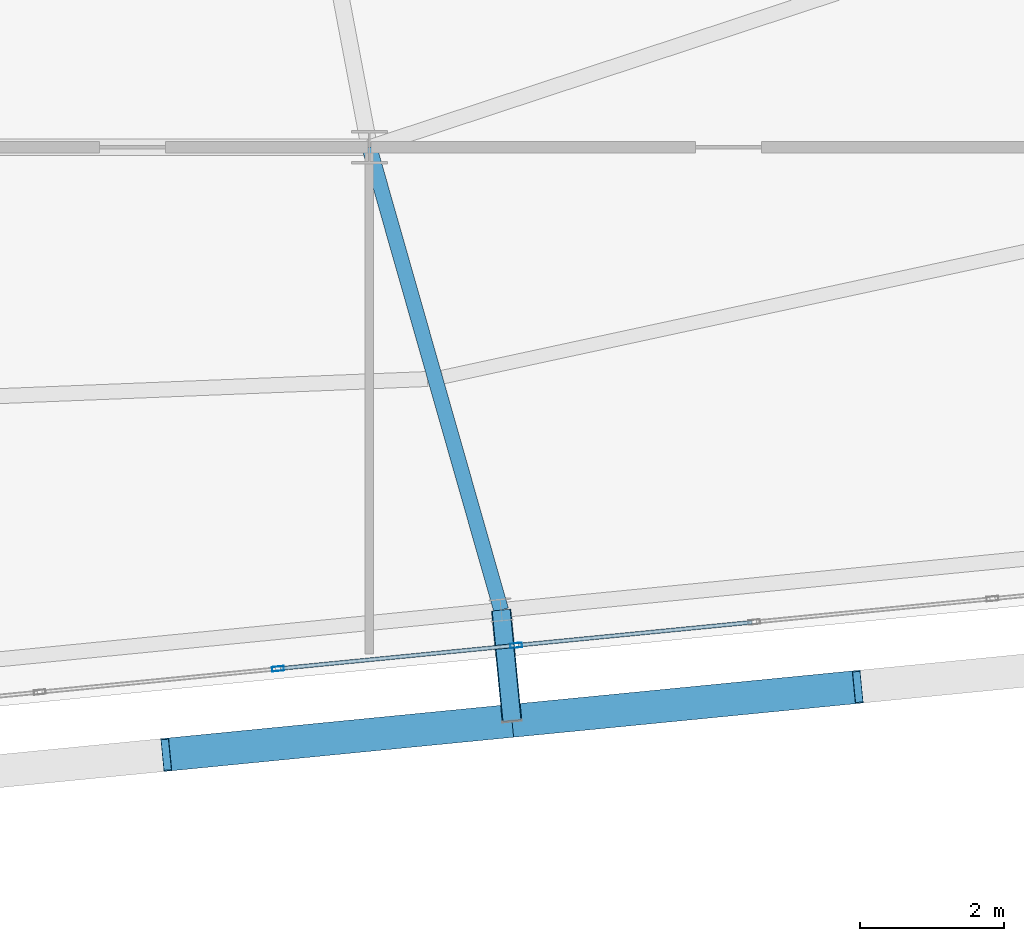
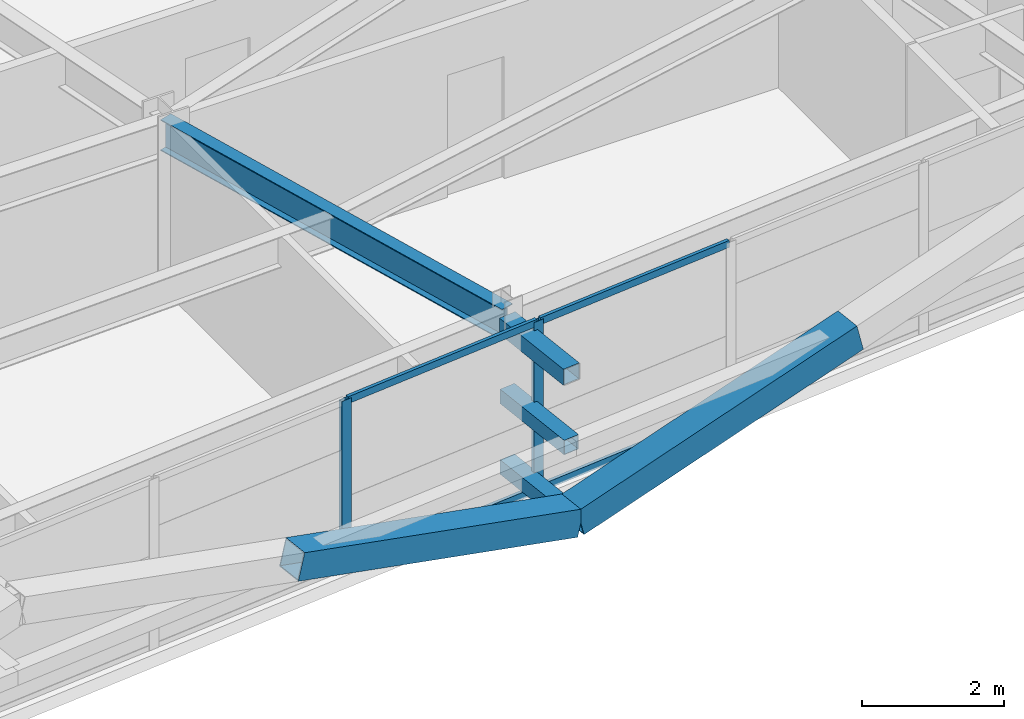
# One storey, part 17 of 52: 11 members, 1 beam, 1 element without a shape of its own.
"""IFC4 building model written with IfcOpenShell, lengths in metres."""

from ifc_helpers import new_model, si_unit, direction, frame, origin, origin_2d, place, context, subcontext, project, spatial, hollow_rectangle, i_section, extrude, source, transform, mapped, material, layer, layer_set, material_profile, profile_set, type_object, element, aggregate, save


model = new_model("IFC4")

# Units and contexts
model_context = context("Model", 3, precision=1e-05, world=origin(), true_north=direction((0.0, 1.0)))
body_context = subcontext(model_context, "Body", "Model", "MODEL_VIEW")
ifc_project = project(units=[si_unit("LENGTHUNIT", "METRE"), si_unit("AREAUNIT", "SQUARE_METRE"), si_unit("VOLUMEUNIT", "CUBIC_METRE"), si_unit("PLANEANGLEUNIT", "RADIAN"), si_unit("MASSUNIT", "GRAM", prefix="KILO")], contexts=[model_context])

# Site, building, storey
site_placement = place(None, origin())
site = spatial("IfcSite", under=ifc_project, at=site_placement, CompositionType="ELEMENT")
building_placement = place(site_placement, origin())
building = spatial("IfcBuilding", under=site, at=building_placement, Name="Taldren Reach Tower", CompositionType="ELEMENT")
storey_placement = place(building_placement, frame((0.0, 0.0, 77.699951171875)))
storey = spatial("IfcBuildingStorey", under=building, at=storey_placement, Name="L23", CompositionType="ELEMENT", Elevation=77.699951171875)

# Members
ifc_material_1 = material(Name="Steel Gr 450 (C450L0)", Category="steel")
ifc_material_profile_1 = material_profile(ifc_material_1, hollow_rectangle(XDim=0.27490234375, YDim=0.27490234375, WallThickness=0.00927734375, at=origin_2d()), Name="275x275x9.3SHS")
ifc_profile_set_1 = profile_set([ifc_material_profile_1], Name="Steel Gr 450 (C450L0)")
member_type_1 = type_object("IfcMemberType", Name="MB-TIE273", PredefinedType="STRUT", material=ifc_profile_set_1)
shared_shape_1 = source(origin(), body_context, "Body", "SweptSolid", [
    extrude(hollow_rectangle(XDim=0.27490234375, YDim=0.27490234375, WallThickness=0.00927734375, at=origin_2d()), origin(), (0.0, 0.0, 1.0), 1.5498046875),
])
member_1_placement = place(storey_placement, frame((43.83544921875, 2.75390625, 2.650146484375), z_axis=(0.097663201064, -0.995219523099, 0.0), x_axis=(0.995219523099, 0.097663201064, 0.0)))
element("IfcMember", 1, at=member_1_placement, inside=storey, type_object=member_type_1, Name="Exoskeleton diaphragm tie strut B2-S4 L23", PredefinedType="STRUT", context=body_context, shape_type="MappedRepresentation", body=[
    mapped(shared_shape_1, transform((0.0, 0.0, 0.0), scale=1.0)),
])
ifc_material_2 = material(Name="Steel Gr 350 (C350L0)", Category="steel")
ifc_material_profile_2 = material_profile(ifc_material_2, hollow_rectangle(XDim=0.25, YDim=0.25, WallThickness=0.010009765625, at=origin_2d()), Name="250x250x10.0SHS")
ifc_profile_set_2 = profile_set([ifc_material_profile_2], Name="Steel Gr 350 (C350L0)")
member_type_2 = type_object("IfcMemberType", Name="MB-POST250", PredefinedType="POST", material=ifc_profile_set_2)
shared_shape_2 = source(origin(), body_context, "Body", "SweptSolid", [
    extrude(hollow_rectangle(XDim=0.25, YDim=0.25, WallThickness=0.010009765625, at=origin_2d()), origin(), (0.0, 0.0, 1.0), 1.5498046875),
])
for number, where, z_axis, x_axis, name in (
    (2, (43.83544921875, 2.75390625, 0.219970703125), (0.097663201064, -0.995219523099, 0.0), (0.995219523099, 0.097663201064, 0.0), "Exoskeleton base diaphragm tie strut B2-S4 L23"),
    (3, (43.83544921875, 2.75390625, 1.43505859375), (0.097663201064, -0.995219523099, 0.0), (0.995219523099, 0.097663201064, 0.0), "Exoskeleton mid-tier diaphragm tie B2-S4 L23"),
):
    element("IfcMember", number, at=place(storey_placement, frame(where, z_axis=z_axis, x_axis=x_axis)), inside=storey, type_object=member_type_2, Name=name, PredefinedType="POST", context=body_context, shape_type="MappedRepresentation", body=[
        mapped(shared_shape_2, transform((0.0, 0.0, 0.0), scale=1.0)),
    ])

# Beam
ifc_material_3 = material(Name="Steel Gr 350 (350PLUS)", Category="steel")
ifc_material_profile_3 = material_profile(ifc_material_3, i_section(OverallWidth=0.208984375, OverallDepth=0.532958984375, WebThickness=0.01025390625, FlangeThickness=0.015625, at=origin_2d()), Name="530UB92.4")
ifc_profile_set_3 = profile_set([ifc_material_profile_3], Name="Steel Gr 350 (350PLUS)")
beam_type = type_object("IfcBeamType", Name="BM-UB530A", PredefinedType="BEAM", material=ifc_profile_set_3)
shared_shape_3 = source(origin(), body_context, "Body", "SweptSolid", [
    extrude(i_section(OverallWidth=0.208984375, OverallDepth=0.532958984375, WebThickness=0.01025390625, FlangeThickness=0.015625, at=origin_2d()), origin(), (0.0, 0.0, 1.0), 6.7021484375),
])
beam_placement = place(storey_placement, frame((42.0, 9.199951171875, 2.66357421875), z_axis=(0.273855026091, -0.961770983491, 0.0), x_axis=(0.961770983491, 0.273855026091, 0.0)))
element("IfcBeam", 4, at=beam_placement, inside=storey, type_object=beam_type, Name="Primary floor girder B2-S4 L23", PredefinedType="BEAM", context=body_context, shape_type="MappedRepresentation", body=[
    mapped(shared_shape_3, transform((0.0, 0.0, 0.0), scale=1.0)),
])

# Members
ifc_material_profile_4 = material_profile(ifc_material_1, hollow_rectangle(XDim=0.4599609375, YDim=0.4599609375, WallThickness=0.01611328125, at=origin_2d()), Name="460x460x16.0SHS")
ifc_profile_set_4 = profile_set([ifc_material_profile_4], Name="Steel Gr 450 (C450L0)")
member_type_3 = type_object("IfcMemberType", Name="MB-EXO457", PredefinedType="BRACE", material=ifc_profile_set_4)
shared_shape_4 = source(origin(), body_context, "Body", "SweptSolid", [
    extrude(hollow_rectangle(XDim=0.4599609375, YDim=0.4599609375, WallThickness=0.01611328125, at=origin_2d()), origin(), (0.0, 0.0, 1.0), 4.990234375),
])
for number, where, z_axis, x_axis, name in (
    (5, (43.98681640625, 1.21142578125, 0.219970703125), (-0.965271056716, -0.094667992638, 0.243494883389), (0.097605711627, -0.995225162995, 0.0), "Exoskeleton Diagrid Brace B2-S3 L23"),
    (6, (43.98681640625, 1.21142578125, 0.219970703125), (0.965275526283, 0.094619506732, 0.243496010862), (-0.097555749586, 0.995230061706, 0.0), "Exoskeleton Diagrid Brace B2-S4 L23"),
):
    element("IfcMember", number, at=place(storey_placement, frame(where, z_axis=z_axis, x_axis=x_axis)), inside=storey, type_object=member_type_3, Name=name, PredefinedType="BRACE", context=body_context, shape_type="MappedRepresentation", body=[
        mapped(shared_shape_4, transform((0.0, 0.0, 0.0), scale=1.0)),
    ])

# Curtain wall, members
ifc_material_4 = material(Name="Aluminium and Low-E Glass Unitised System", Category="aluminium")
ifc_layer = layer(ifc_material_4, 0.159912109375)
ifc_layer_set = layer_set([ifc_layer], Name="Aluminium and Low-E Glass Unitised System")
curtain_wall_type = type_object("IfcCurtainWallType", Name="CW-SYS-3", PredefinedType="NOTDEFINED", material=ifc_layer_set)
curtain_wall_placement = place(storey_placement, origin())
curtain_wall = element("IfcCurtainWall", 7, at=curtain_wall_placement, inside=storey, type_object=curtain_wall_type, Name="Unitised curtain wall CW-L23-S", PredefinedType="NOTDEFINED")
ifc_material_5 = material(Name="Anodised Aluminium 6063-T6", Category="aluminium")
ifc_material_profile_5 = material_profile(ifc_material_5, hollow_rectangle(XDim=0.06494140625, YDim=0.1650390625, WallThickness=0.00390625, at=origin_2d()), Name="ALU-165x65x4RHS")
ifc_profile_set_5 = profile_set([ifc_material_profile_5], Name="Anodised Aluminium 6063-T6")
member_type_4 = type_object("IfcMemberType", Name="CW-MUL-165", PredefinedType="MULLION", material=ifc_profile_set_5)
shared_shape_5 = source(origin(), body_context, "Body", "SweptSolid", [
    extrude(hollow_rectangle(XDim=0.06494140625, YDim=0.1650390625, WallThickness=0.00390625, at=origin_2d()), origin(), (0.0, 0.0, 1.0), 2.929931640625),
])
member_2_placement = place(storey_placement, frame((40.72705078125, 1.936767578125, 0.0), z_axis=(0.0, 0.0, 1.0), x_axis=(-0.097582999046, 0.995227390247, 0.0)))
member_2 = element("IfcMember", 8, at=member_2_placement, type_object=member_type_4, Name="CW-3 mullion 9", PredefinedType="MULLION", context=body_context, shape_type="MappedRepresentation", body=[
    mapped(shared_shape_5, transform((0.0, 0.0, 0.0), scale=1.0)),
])
member_3_placement = place(storey_placement, frame((44.044677734375, 2.261962890625, 0.0), z_axis=(0.0, 0.0, 1.0), x_axis=(-0.097582999046, 0.995227390247, 0.0)))
member_3 = element("IfcMember", 9, at=member_3_placement, type_object=member_type_4, Name="CW-3 mullion 10", PredefinedType="MULLION", context=body_context, shape_type="MappedRepresentation", body=[
    mapped(shared_shape_5, transform((0.0, 0.0, 0.0), scale=1.0)),
])
ifc_material_profile_6 = material_profile(ifc_material_5, hollow_rectangle(XDim=0.054931640625, YDim=0.1201171875, WallThickness=0.0029296875, at=origin_2d()), Name="ALU-120x55x3RHS")
ifc_profile_set_6 = profile_set([ifc_material_profile_6], Name="Anodised Aluminium 6063-T6")
member_type_5 = type_object("IfcMemberType", Name="CW-TRN-135", PredefinedType="USERDEFINED", material=ifc_profile_set_6)
shared_shape_6 = source(origin(), body_context, "Body", "SweptSolid", [
    extrude(hollow_rectangle(XDim=0.054931640625, YDim=0.1201171875, WallThickness=0.0029296875, at=origin_2d()), origin(), (0.0, 0.0, 1.0), 3.268310546875),
])
member_4_placement = place(storey_placement, frame((40.759521484375, 1.93994140625, 0.027587890625), z_axis=(0.99522980512, 0.097558367146, 0.0), x_axis=(-0.097558367146, 0.99522980512, 0.0)))
member_4 = element("IfcMember", 10, at=member_4_placement, type_object=member_type_5, Name="CW-3 transom 9.1", ObjectType="TRANSOM", PredefinedType="USERDEFINED", context=body_context, shape_type="MappedRepresentation", body=[
    mapped(shared_shape_6, transform((0.0, 0.0, 0.0), scale=1.0)),
])
member_5_placement = place(storey_placement, frame((40.759521484375, 1.93994140625, 2.902587890625), z_axis=(0.99522980512, 0.097558367146, 0.0), x_axis=(-0.097558367146, 0.99522980512, 0.0)))
member_5 = element("IfcMember", 11, at=member_5_placement, type_object=member_type_5, Name="CW-3 transom 9.2", ObjectType="TRANSOM", PredefinedType="USERDEFINED", context=body_context, shape_type="MappedRepresentation", body=[
    mapped(shared_shape_6, transform((0.0, 0.0, 0.0), scale=1.0)),
])
member_6_placement = place(storey_placement, frame((44.076904296875, 2.26513671875, 0.027587890625), z_axis=(0.99522980512, 0.097558367146, 0.0), x_axis=(-0.097558367146, 0.99522980512, 0.0)))
member_6 = element("IfcMember", 12, at=member_6_placement, type_object=member_type_5, Name="CW-3 transom 10.1", ObjectType="TRANSOM", PredefinedType="USERDEFINED", context=body_context, shape_type="MappedRepresentation", body=[
    mapped(shared_shape_6, transform((0.0, 0.0, 0.0), scale=1.0)),
])
member_7_placement = place(storey_placement, frame((44.076904296875, 2.26513671875, 2.902587890625), z_axis=(0.99522980512, 0.097558367146, 0.0), x_axis=(-0.097558367146, 0.99522980512, 0.0)))
member_7 = element("IfcMember", 13, at=member_7_placement, type_object=member_type_5, Name="CW-3 transom 10.2", ObjectType="TRANSOM", PredefinedType="USERDEFINED", context=body_context, shape_type="MappedRepresentation", body=[
    mapped(shared_shape_6, transform((0.0, 0.0, 0.0), scale=1.0)),
])
aggregate(curtain_wall, [member_2, member_3, member_4, member_5, member_6, member_7])

save(model, "model.ifc")
